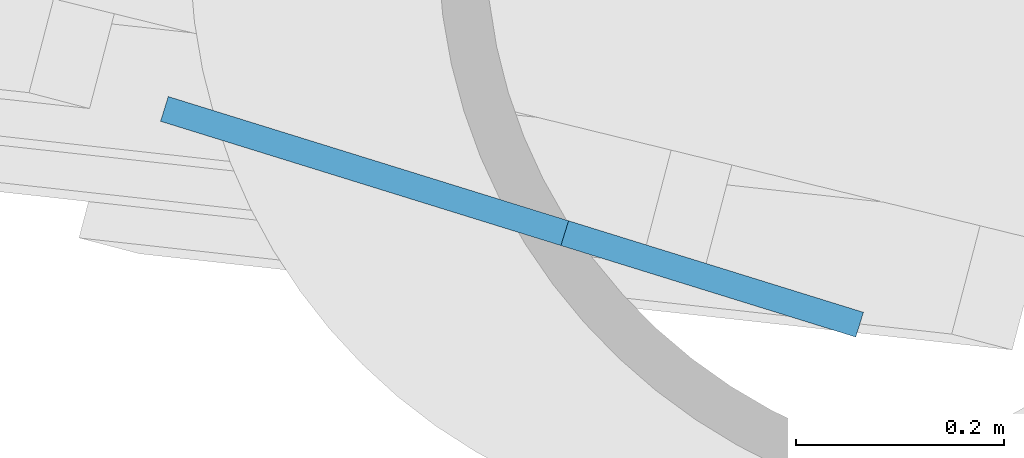
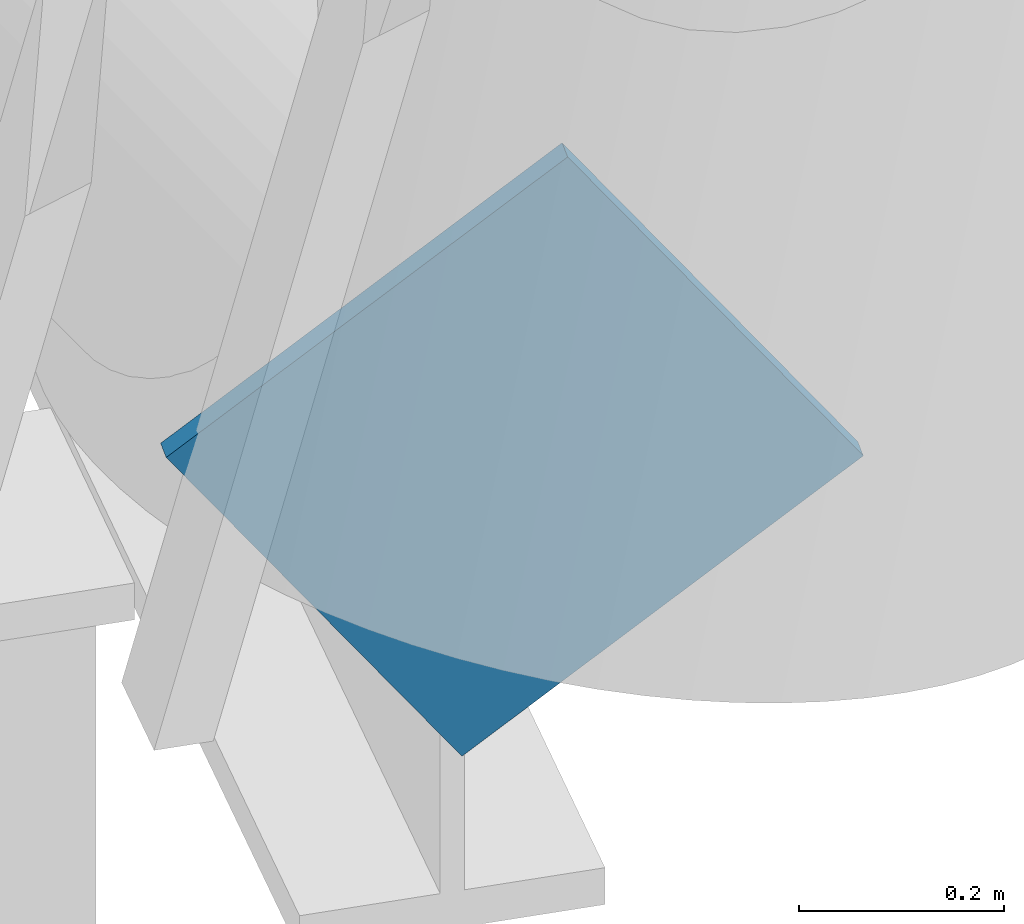
# One storey, part 12 of 24: 1 discrete accessory.
"""IFC4 building model written with IfcOpenShell, lengths in metres."""

from ifc_helpers import new_model, si_unit, direction, frame, origin, origin_2d, place, context, subcontext, project, spatial, rectangle, extrude, material, material_profile, profile_set, type_object, element, save


model = new_model("IFC4")

# Units and contexts
model_context = context("Model", 3, precision=1e-05, world=origin(), true_north=direction((0.0, 1.0)))
body_context = subcontext(model_context, "Body", "Model", "MODEL_VIEW")
ifc_project = project(units=[si_unit("LENGTHUNIT", "METRE"), si_unit("AREAUNIT", "SQUARE_METRE"), si_unit("VOLUMEUNIT", "CUBIC_METRE"), si_unit("PLANEANGLEUNIT", "RADIAN"), si_unit("MASSUNIT", "GRAM", prefix="KILO")], contexts=[model_context])

# Site, building, storey
site_placement = place(None, origin())
site = spatial("IfcSite", under=ifc_project, at=site_placement, CompositionType="ELEMENT")
building_placement = place(site_placement, origin())
building = spatial("IfcBuilding", under=site, at=building_placement, Name="Tarsis Ring Headquarters", CompositionType="ELEMENT")
storey_placement = place(building_placement, frame((0.0, 0.0, 163.199951171875)))
storey = spatial("IfcBuildingStorey", under=building, at=storey_placement, Name="L37", CompositionType="ELEMENT", Elevation=163.199951171875)

# Discrete accessory
ifc_material = material(Name="Structural steel S355", Category="steel")
ifc_material_profile = material_profile(ifc_material, rectangle(XDim=0.02490234375, YDim=0.5, at=origin_2d()), Name="PL 25x500")
ifc_profile_set = profile_set([ifc_material_profile], Name="Structural steel S355")
discrete_accessory_type = type_object("IfcDiscreteAccessoryType", Name="Gusset plate Exo brace 25", PredefinedType="BRACKET", material=ifc_profile_set)
discrete_accessory_placement = place(storey_placement, frame((0.861328125, -55.129638671875, 0.0), z_axis=(-0.566399700588, 0.175779217424, 0.805166470922), x_axis=(-0.296399214872, -0.955064136811, 0.0)))
element("IfcDiscreteAccessory", 1, at=discrete_accessory_placement, inside=storey, type_object=discrete_accessory_type, Name="Gusset plate GP5", PredefinedType="BRACKET", context=body_context, shape_type="SweptSolid", body=[
    extrude(rectangle(XDim=0.02490234375, YDim=0.5, at=origin_2d()), origin(), (0.0, 0.0, 1.0), 0.5),
])

save(model, "model.ifc")
